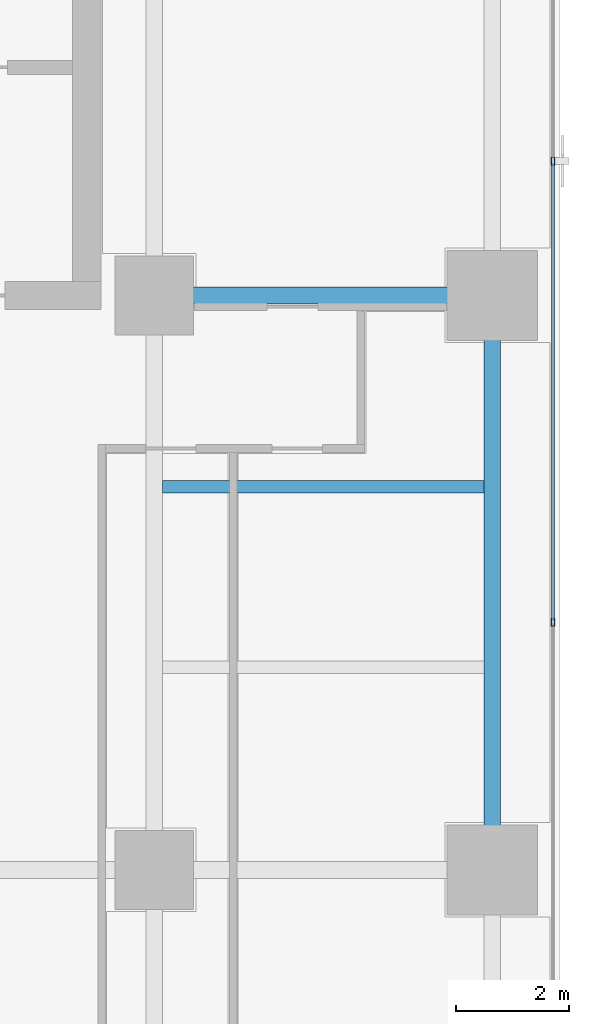
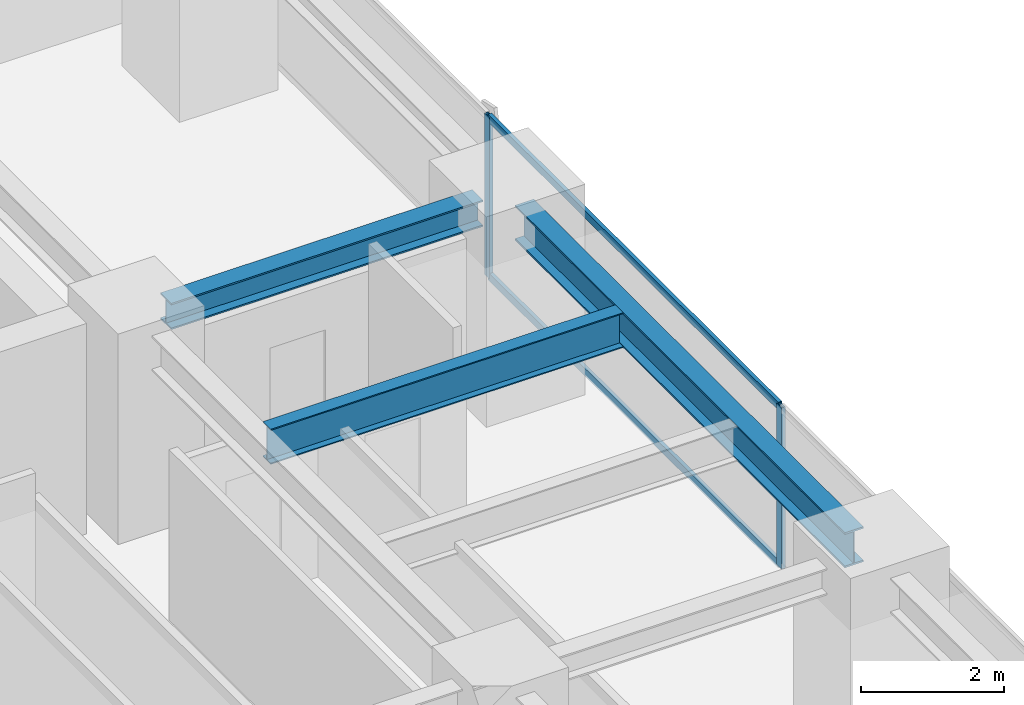
# One storey, part 17 of 30: 4 members, 3 beams, 1 element without a shape of its own.
"""IFC4 building model written with IfcOpenShell, lengths in metres."""

import ifcopenshell
import ifcopenshell.guid

model = None  # the IFC model being written
_history = None  # IfcOwnerHistory: only IFC2X3 demands one
_inside = {}  # id of a spatial element -> (the spatial element, [elements in it])
_under = {}  # id of a project, library or spatial element -> (it, [spatial elements below it])
_declared = {}  # id of a project -> (the project, [libraries it declares])
_typed = {}  # id of a type object -> (the type object, [elements of that type])
_made_of = {}  # id of a material, layer set ... -> (it, [elements and type objects made of it])


def new_model(schema):
    """Start an empty IFC model of exactly this schema.

    Asked for "IFC4X3", IfcOpenShell would pick the latest addendum, in which some entities
    have other attributes; the version numbers below select the first issue.
    IFC2X3 requires an IfcOwnerHistory on every rooted entity: one is made here for all.
    """
    global model, _history
    if schema == "IFC4X3":
        model = ifcopenshell.file(schema_version=(4, 3, 0, 0))
    else:
        model = ifcopenshell.file(schema=schema)
    _inside.clear()
    _under.clear()
    _declared.clear()
    _typed.clear()
    _made_of.clear()
    _history = None
    if model.schema == "IFC2X3":
        org = make("IfcOrganization", Name="unknown")
        user = make(
            "IfcPersonAndOrganization",
            ThePerson=make("IfcPerson", FamilyName="unknown"),
            TheOrganization=org,
        )
        app = make(
            "IfcApplication",
            ApplicationDeveloper=org,
            Version="unknown",
            ApplicationFullName="unknown",
            ApplicationIdentifier="unknown",
        )
        _history = make(
            "IfcOwnerHistory",
            OwningUser=user,
            OwningApplication=app,
            ChangeAction="ADDED",
            CreationDate=0,
        )
    return model


def make(cls, **values):
    """One entity of the class cls with the attributes given. An attribute that is None is left unset."""
    return model.create_entity(
        cls, **{name: value for name, value in values.items() if value is not None}
    )


def rooted(cls, **values):
    """An entity with a GlobalId (a new one), such as an element, a storey or a relation."""
    return make(cls, GlobalId=ifcopenshell.guid.new(), OwnerHistory=_history, **values)


def si_unit(unit_type, name, prefix=None):
    """IfcSIUnit, for example si_unit("LENGTHUNIT", "METRE", prefix="MILLI")."""
    return make("IfcSIUnit", UnitType=unit_type, Prefix=prefix, Name=name)


def assignment(units):
    """IfcUnitAssignment: the units of a project."""
    return None if units is None else make("IfcUnitAssignment", Units=units)


def point(xyz):
    """IfcCartesianPoint."""
    return None if xyz is None else make("IfcCartesianPoint", Coordinates=xyz)


def direction(xyz):
    """IfcDirection."""
    return None if xyz is None else make("IfcDirection", DirectionRatios=xyz)


def frame(location, z_axis=None, x_axis=None):
    """IfcAxis2Placement3D, a coordinate frame: its origin and axes. An axis left out is left unset."""
    return make(
        "IfcAxis2Placement3D",
        Location=point(location),
        Axis=direction(z_axis),
        RefDirection=direction(x_axis),
    )


def frame_2d(location, x_axis=None):
    """IfcAxis2Placement2D, a coordinate frame in the plane: its origin and x axis."""
    return make(
        "IfcAxis2Placement2D", Location=point(location), RefDirection=direction(x_axis)
    )


def origin():
    """The frame at (0, 0, 0) with its axes left unset."""
    return frame((0.0, 0.0, 0.0))


def origin_2d():
    """The frame at (0, 0) in the plane with its x axis left unset."""
    return frame_2d((0.0, 0.0))


def place(relative_to, where):
    """IfcLocalPlacement: puts the frame where relative to a parent placement (None: the world)."""
    return make(
        "IfcLocalPlacement", PlacementRelTo=relative_to, RelativePlacement=where
    )


def context(
    kind, dimensions, precision=None, world=None, true_north=None, identifier=None
):
    """IfcGeometricRepresentationContext, for example the 3D "Model" context."""
    return make(
        "IfcGeometricRepresentationContext",
        ContextIdentifier=identifier,
        ContextType=kind,
        CoordinateSpaceDimension=dimensions,
        Precision=precision,
        WorldCoordinateSystem=world,
        TrueNorth=true_north,
    )


def subcontext(parent, identifier, kind, view, scale=None):
    """IfcGeometricRepresentationSubContext, for example "Body" below "Model"."""
    return make(
        "IfcGeometricRepresentationSubContext",
        ContextIdentifier=identifier,
        ContextType=kind,
        ParentContext=parent,
        TargetScale=scale,
        TargetView=view,
    )


def project(units=None, contexts=None):
    """IfcProject with its units and contexts."""
    return rooted(
        "IfcProject",
        Name="project",
        RepresentationContexts=contexts,
        UnitsInContext=assignment(units),
    )


def spatial(cls, under=None, at=None, **own):
    """A site, building, storey or space (cls), placed at a placement, below another one or the project."""
    s = rooted(cls, ObjectPlacement=at, **own)
    if under is not None:
        _under.setdefault(under.id(), (under, []))[1].append(s)
    return s


def profile(cls, at=None, kind="AREA", **sizes):
    """A parametric profile (cls). Its sizes go by their IFC names, for example OverallWidth=200.0."""
    return make(cls, ProfileType=kind, Position=at, **sizes)


def hollow_rectangle(**sizes):
    """IfcRectangleHollowProfileDef."""
    return profile("IfcRectangleHollowProfileDef", **sizes)


def i_section(**sizes):
    """IfcIShapeProfileDef."""
    return profile("IfcIShapeProfileDef", **sizes)


def extrude(swept, where, along, depth):
    """IfcExtrudedAreaSolid: the profile swept, set in the frame where, extruded along a direction by depth."""
    return make(
        "IfcExtrudedAreaSolid",
        SweptArea=swept,
        Position=where,
        ExtrudedDirection=direction(along),
        Depth=depth,
    )


def shape(context_of_items, identifier, shape_type, items):
    """IfcShapeRepresentation: the items that make up one representation, for example the "Body"."""
    return make(
        "IfcShapeRepresentation",
        ContextOfItems=context_of_items,
        RepresentationIdentifier=identifier,
        RepresentationType=shape_type,
        Items=items,
    )


def source(mapping_origin, context_of_items, identifier, shape_type, items):
    """IfcRepresentationMap: a shape defined once, which mapped items show again and again."""
    return make(
        "IfcRepresentationMap",
        MappingOrigin=mapping_origin,
        MappedRepresentation=shape(context_of_items, identifier, shape_type, items),
    )


def transform(
    local_origin,
    x_axis=None,
    y_axis=None,
    z_axis=None,
    scale=None,
    scale2=None,
    scale3=None,
    uniform=True,
):
    """IfcCartesianTransformationOperator3D, or its non-uniform kind. x_axis, y_axis, z_axis: its Axis1, 2, 3."""
    if uniform:
        return make(
            "IfcCartesianTransformationOperator3D",
            Axis1=direction(x_axis),
            Axis2=direction(y_axis),
            LocalOrigin=point(local_origin),
            Scale=scale,
            Axis3=direction(z_axis),
        )
    return make(
        "IfcCartesianTransformationOperator3DnonUniform",
        Axis1=direction(x_axis),
        Axis2=direction(y_axis),
        LocalOrigin=point(local_origin),
        Scale=scale,
        Axis3=direction(z_axis),
        Scale2=scale2,
        Scale3=scale3,
    )


def mapped(mapping_source, mapping_target):
    """IfcMappedItem: shows the shape of a source again, moved by a transform."""
    return make(
        "IfcMappedItem", MappingSource=mapping_source, MappingTarget=mapping_target
    )


def material(Name=None, Category=None):
    """IfcMaterial."""
    return make("IfcMaterial", Name=Name, Category=Category)


def layer(
    of_material, thickness, ventilated=None, Name=None, Category=None, Priority=None
):
    """IfcMaterialLayer: one layer of a wall or slab, of a material (None: an air gap)."""
    return make(
        "IfcMaterialLayer",
        Material=of_material,
        LayerThickness=thickness,
        IsVentilated=ventilated,
        Name=Name,
        Category=Category,
        Priority=Priority,
    )


def layer_set(layers, Name=None):
    """IfcMaterialLayerSet."""
    return make("IfcMaterialLayerSet", MaterialLayers=layers, LayerSetName=Name)


def material_profile(
    of_material, cross_section, Name=None, Category=None, Priority=None
):
    """IfcMaterialProfile: a cross section and its material."""
    return make(
        "IfcMaterialProfile",
        Name=Name,
        Material=of_material,
        Profile=cross_section,
        Priority=Priority,
        Category=Category,
    )


def profile_set(profiles, Name=None, composite=None):
    """IfcMaterialProfileSet."""
    return make(
        "IfcMaterialProfileSet",
        Name=Name,
        MaterialProfiles=profiles,
        CompositeProfile=composite,
    )


def made_of(thing, what):
    """Note that an element or type object is made of a material, layer set ...; save() writes the relation."""
    if what is not None:
        _made_of.setdefault(what.id(), (what, []))[1].append(thing)
    return thing


def type_object(cls, material=None, **own):
    """A type object (cls), such as IfcWallType, which elements share."""
    return made_of(rooted(cls, **own), material)


def element(
    cls,
    number,
    at=None,
    inside=None,
    cuts=None,
    type_object=None,
    material=None,
    context=None,
    identifier="Body",
    shape_type=None,
    held_by="IfcProductDefinitionShape",
    body=None,
    shapes=None,
    **own,
):
    """One element of the class cls, such as IfcWall. Its Tag is "e" and its number.

    at: its placement. inside: the storey or other place that contains it. cuts: it is an
    opening in that element (IfcRelVoidsElement). A single representation is given by context,
    identifier, shape_type and body (its items); several are given by shapes. held_by: the class
    of the entity that holds the representations. save() writes the other relations.
    """
    e = rooted(cls, Tag="e%d" % number, ObjectPlacement=at, **own)
    if body is not None:
        shapes = [shape(context, identifier, shape_type, body)]
    if shapes is not None:
        e.Representation = make(held_by, Representations=shapes)
    if inside is not None:
        _inside.setdefault(inside.id(), (inside, []))[1].append(e)
    if cuts is not None:
        rooted(
            "IfcRelVoidsElement", RelatingBuildingElement=cuts, RelatedOpeningElement=e
        )
    if type_object is not None:
        _typed.setdefault(type_object.id(), (type_object, []))[1].append(e)
    return made_of(e, material)


def aggregate(whole, parts):
    """IfcRelAggregates: a whole, such as a stair, and the parts it consists of."""
    return rooted("IfcRelAggregates", RelatingObject=whole, RelatedObjects=parts)


def save(model, path):
    """Write the relations noted so far, then the file.

    IfcRelAggregates (storeys below a building ...), IfcRelContainedInSpatialStructure (elements
    in a storey), IfcRelDefinesByType, IfcRelAssociatesMaterial and IfcRelDeclares: one each for
    every whole, place, type object, material and project.
    """
    for whole, parts in _under.values():
        aggregate(whole, parts)
    for where, things in _inside.values():
        rooted(
            "IfcRelContainedInSpatialStructure",
            RelatedElements=things,
            RelatingStructure=where,
        )
    for kind, things in _typed.values():
        rooted("IfcRelDefinesByType", RelatedObjects=things, RelatingType=kind)
    for what, things in _made_of.values():
        rooted("IfcRelAssociatesMaterial", RelatedObjects=things, RelatingMaterial=what)
    for by, libraries in _declared.values():
        rooted("IfcRelDeclares", RelatingContext=by, RelatedDefinitions=libraries)
    model.write(path)


model = new_model("IFC4")

# Units and contexts
model_context = context("Model", 3, precision=1e-05, world=origin(), true_north=direction((0.0, 1.0)))
body_context = subcontext(model_context, "Body", "Model", "MODEL_VIEW")
ifc_project = project(units=[si_unit("LENGTHUNIT", "METRE"), si_unit("AREAUNIT", "SQUARE_METRE"), si_unit("VOLUMEUNIT", "CUBIC_METRE"), si_unit("PLANEANGLEUNIT", "RADIAN"), si_unit("MASSUNIT", "GRAM", prefix="KILO")], contexts=[model_context])

# Site, building, storey
site_placement = place(None, origin())
site = spatial("IfcSite", under=ifc_project, at=site_placement, CompositionType="ELEMENT")
building_placement = place(site_placement, origin())
building = spatial("IfcBuilding", under=site, at=building_placement, Name="Sumidabori Civic Tower", CompositionType="ELEMENT")
storey_placement = place(building_placement, frame((0.0, 0.0, 200.0)))
storey = spatial("IfcBuildingStorey", under=building, at=storey_placement, Name="L51", CompositionType="ELEMENT", Elevation=200.0)

# Beams
ifc_material_1 = material(Name="Steel SN490", Category="steel")
ifc_material_profile_1 = material_profile(ifc_material_1, i_section(OverallWidth=0.300048828125, OverallDepth=0.60009765625, WebThickness=0.015380859375, FlangeThickness=0.030029296875, at=origin_2d()), Name="HE 600 B")
ifc_profile_set_1 = profile_set([ifc_material_profile_1], Name="Steel SN490")
beam_type_1 = type_object("IfcBeamType", Name="BM-GIRD-600", PredefinedType="BEAM", material=ifc_profile_set_1)
shared_shape_1 = source(origin(), body_context, "Body", "SweptSolid", [
    extrude(i_section(OverallWidth=0.300048828125, OverallDepth=0.60009765625, WebThickness=0.015380859375, FlangeThickness=0.030029296875, at=origin_2d()), origin(), (0.0, 0.0, 1.0), 9.239990234375),
])
beam_1_placement = place(storey_placement, frame((22.800048828125, 0.47998046875, 3.080078125), z_axis=(0.0, 1.0, 0.0), x_axis=(-1.0, 0.0, 0.0)))
element("IfcBeam", 1, at=beam_1_placement, inside=storey, type_object=beam_type_1, Name="Primary Girder L51 GY-23", PredefinedType="BEAM", context=body_context, shape_type="MappedRepresentation", body=[
    mapped(shared_shape_1, transform((0.0, 0.0, 0.0), x_axis=(1.0, 0.0, 0.0), y_axis=(0.0, 1.0, 0.0), z_axis=(0.0, 0.0, 1.0), scale=1.0)),
])
ifc_material_profile_2 = material_profile(ifc_material_1, i_section(OverallWidth=0.219970703125, OverallDepth=0.60009765625, WebThickness=0.011962890625, FlangeThickness=0.01904296875, at=origin_2d()), Name="IPE 600")
ifc_profile_set_2 = profile_set([ifc_material_profile_2], Name="Steel SN490")
beam_type_2 = type_object("IfcBeamType", Name="BM-JST-600", PredefinedType="JOIST", material=ifc_profile_set_2)
shared_shape_2 = source(origin(), body_context, "Body", "SweptSolid", [
    extrude(i_section(OverallWidth=0.219970703125, OverallDepth=0.60009765625, WebThickness=0.011962890625, FlangeThickness=0.01904296875, at=origin_2d()), origin(), (0.0, 0.0, 1.0), 5.699951171875),
])
beam_2_placement = place(storey_placement, frame((16.949951171875, 6.800048828125, 3.080078125), z_axis=(1.0, 0.0, 0.0), x_axis=(0.0, 1.0, 0.0)))
element("IfcBeam", 2, at=beam_2_placement, inside=storey, type_object=beam_type_2, Name="Outer Bay Floor Joist L51 JSTO-32", PredefinedType="JOIST", context=body_context, shape_type="MappedRepresentation", body=[
    mapped(shared_shape_2, transform((0.0, 0.0, 0.0), x_axis=(1.0, 0.0, 0.0), y_axis=(0.0, 1.0, 0.0), z_axis=(0.0, 0.0, 1.0), scale=1.0)),
])
ifc_material_profile_3 = material_profile(ifc_material_1, i_section(OverallWidth=0.300048828125, OverallDepth=0.449951171875, WebThickness=0.013916015625, FlangeThickness=0.02587890625, at=origin_2d()), Name="HE 450 B")
ifc_profile_set_3 = profile_set([ifc_material_profile_3], Name="Steel SN490")
beam_type_3 = type_object("IfcBeamType", Name="BM-GIRD-450", PredefinedType="BEAM", material=ifc_profile_set_3)
shared_shape_3 = source(origin(), body_context, "Body", "SweptSolid", [
    extrude(i_section(OverallWidth=0.300048828125, OverallDepth=0.449951171875, WebThickness=0.013916015625, FlangeThickness=0.02587890625, at=origin_2d()), origin(), (0.0, 0.0, 1.0), 5.0400390625),
])
beam_3_placement = place(storey_placement, frame((17.280029296875, 10.199951171875, 3.155029296875), z_axis=(1.0, 0.0, 0.0), x_axis=(0.0, 1.0, 0.0)))
element("IfcBeam", 3, at=beam_3_placement, inside=storey, type_object=beam_type_3, Name="Primary Girder L51 GX-10", PredefinedType="BEAM", context=body_context, shape_type="MappedRepresentation", body=[
    mapped(shared_shape_3, transform((0.0, 0.0, 0.0), x_axis=(1.0, 0.0, 0.0), y_axis=(0.0, 1.0, 0.0), z_axis=(0.0, 0.0, 1.0), scale=1.0)),
])

# Curtain wall, members
ifc_material_2 = material(Name="Anodised Bronze Aluminium AW-6063-T6", Category="aluminium")
ifc_layer = layer(ifc_material_2, 0.179931640625, Name="Anodised Bronze Aluminium AW-6063-T6")
ifc_layer_set = layer_set([ifc_layer], Name="Anodised Bronze Aluminium AW-6063-T6")
curtain_wall_type = type_object("IfcCurtainWallType", Name="CW-SYS-5", PredefinedType="NOTDEFINED", material=ifc_layer_set)
curtain_wall_placement = place(storey_placement, origin())
curtain_wall = element("IfcCurtainWall", 4, at=curtain_wall_placement, inside=storey, type_object=curtain_wall_type, Name="Curtain Wall CW:L51:R10", PredefinedType="NOTDEFINED")
ifc_material_profile_4 = material_profile(ifc_material_2, hollow_rectangle(XDim=0.06005859375, YDim=0.139892578125, WallThickness=0.0048828125, at=origin_2d()), Name="ALU MULLION 140x60")
ifc_profile_set_4 = profile_set([ifc_material_profile_4], Name="Anodised Bronze Aluminium AW-6063-T6")
member_type_1 = type_object("IfcMemberType", Name="CW-MUL-140", PredefinedType="MULLION", material=ifc_profile_set_4)
shared_shape_4 = source(origin(), body_context, "Body", "SweptSolid", [
    extrude(hollow_rectangle(XDim=0.06005859375, YDim=0.139892578125, WallThickness=0.0048828125, at=origin_2d()), origin(), (0.0, 0.0, 1.0), 2.760009765625),
])
member_1_placement = place(storey_placement, frame((23.8798828125, 4.39990234375, 0.0), z_axis=(0.0, 0.0, 1.0), x_axis=(-1.0, 0.0, 0.0)))
member_1 = element("IfcMember", 5, at=member_1_placement, type_object=member_type_1, Name="CW-5 mullion 3", PredefinedType="MULLION", context=body_context, shape_type="MappedRepresentation", body=[
    mapped(shared_shape_4, transform((0.0, 0.0, 0.0), x_axis=(1.0, 0.0, 0.0), y_axis=(0.0, 1.0, 0.0), z_axis=(0.0, 0.0, 1.0), scale=1.0)),
])
member_2_placement = place(storey_placement, frame((23.8798828125, 12.5849609375, 0.0), z_axis=(0.0, 0.0, 1.0), x_axis=(-1.0, 0.0, 0.0)))
member_2 = element("IfcMember", 6, at=member_2_placement, type_object=member_type_1, Name="CW-5 mullion 4", PredefinedType="MULLION", context=body_context, shape_type="MappedRepresentation", body=[
    mapped(shared_shape_4, transform((0.0, 0.0, 0.0), x_axis=(1.0, 0.0, 0.0), y_axis=(0.0, 1.0, 0.0), z_axis=(0.0, 0.0, 1.0), scale=1.0)),
])
ifc_material_profile_5 = material_profile(ifc_material_2, hollow_rectangle(XDim=0.06005859375, YDim=0.1298828125, WallThickness=0.0048828125, at=origin_2d()), Name="ALU TRANSOM 130x60")
ifc_profile_set_5 = profile_set([ifc_material_profile_5], Name="Anodised Bronze Aluminium AW-6063-T6")
member_type_2 = type_object("IfcMemberType", Name="CW-TRN-130", PredefinedType="USERDEFINED", material=ifc_profile_set_5)
shared_shape_5 = source(origin(), body_context, "Body", "SweptSolid", [
    extrude(hollow_rectangle(XDim=0.06005859375, YDim=0.1298828125, WallThickness=0.0048828125, at=origin_2d()), origin(), (0.0, 0.0, 1.0), 8.125),
])
member_3_placement = place(storey_placement, frame((23.8798828125, 4.429931640625, 0.030029296875), z_axis=(0.0, 1.0, 0.0), x_axis=(-1.0, 0.0, 0.0)))
member_3 = element("IfcMember", 7, at=member_3_placement, type_object=member_type_2, Name="CW-5 transom 3.1", ObjectType="TRANSOM", PredefinedType="USERDEFINED", context=body_context, shape_type="MappedRepresentation", body=[
    mapped(shared_shape_5, transform((0.0, 0.0, 0.0), x_axis=(1.0, 0.0, 0.0), y_axis=(0.0, 1.0, 0.0), z_axis=(0.0, 0.0, 1.0), scale=1.0)),
])
member_4_placement = place(storey_placement, frame((23.8798828125, 4.429931640625, 2.72998046875), z_axis=(0.0, 1.0, 0.0), x_axis=(-1.0, 0.0, 0.0)))
member_4 = element("IfcMember", 8, at=member_4_placement, type_object=member_type_2, Name="CW-5 transom 3.2", ObjectType="TRANSOM", PredefinedType="USERDEFINED", context=body_context, shape_type="MappedRepresentation", body=[
    mapped(shared_shape_5, transform((0.0, 0.0, 0.0), x_axis=(1.0, 0.0, 0.0), y_axis=(0.0, 1.0, 0.0), z_axis=(0.0, 0.0, 1.0), scale=1.0)),
])
aggregate(curtain_wall, [member_1, member_2, member_3, member_4])

save(model, "model.ifc")
